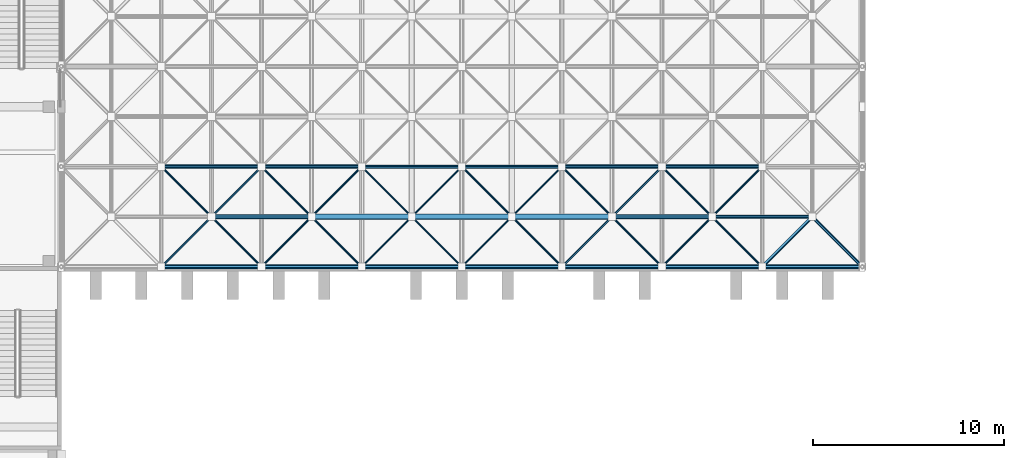
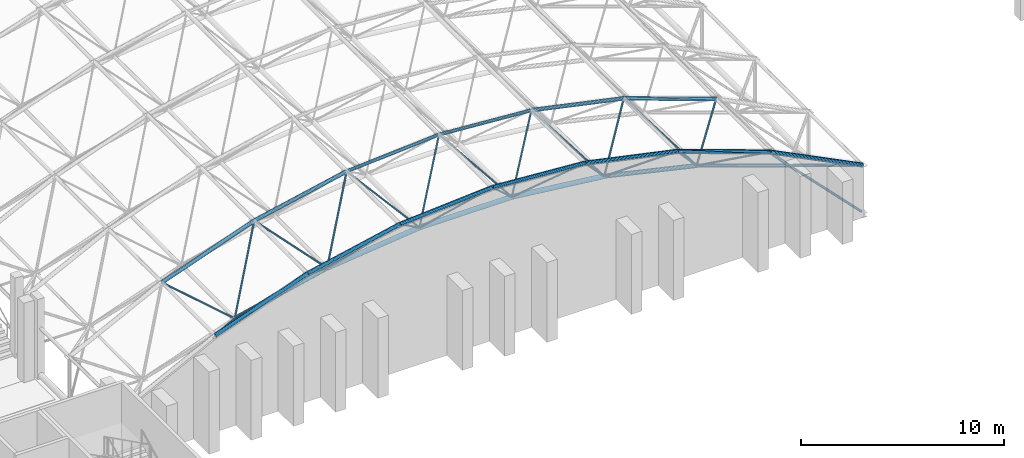
# One storey, part 15 of 100: 46 members.
"""IFC4 building model written with IfcOpenShell, lengths in metres."""

from ifc_helpers import new_model, si_unit, direction, frame, origin, origin_2d, place, context, subcontext, project, spatial, hollow_circle, extrude, material, material_profile, profile_set, type_object, element, save


model = new_model("IFC4")

# Units and contexts
model_context = context("Model", 3, precision=1e-05, world=origin(), true_north=direction((0.0, 1.0)))
body_context = subcontext(model_context, "Body", "Model", "MODEL_VIEW")
ifc_project = project(units=[si_unit("LENGTHUNIT", "METRE"), si_unit("AREAUNIT", "SQUARE_METRE"), si_unit("VOLUMEUNIT", "CUBIC_METRE"), si_unit("PLANEANGLEUNIT", "RADIAN"), si_unit("MASSUNIT", "GRAM", prefix="KILO")], contexts=[model_context])

# Site, building, storey
site_placement = place(None, origin())
site = spatial("IfcSite", under=ifc_project, at=site_placement, CompositionType="ELEMENT")
building_placement = place(site_placement, origin())
building = spatial("IfcBuilding", under=site, at=building_placement, Name="Kiln Court Media Centre", CompositionType="ELEMENT")
storey_placement = place(building_placement, frame((0.0, 0.0, 15.0)))
storey = spatial("IfcBuildingStorey", under=building, at=storey_placement, Name="L03", CompositionType="ELEMENT", Elevation=15.0)

# Members
ifc_material_1 = material(Name="Steel ASTM A500 Gr C", Category="steel")
ifc_material_profile_1 = material_profile(ifc_material_1, hollow_circle(Radius=0.05078125, WallThickness=0.0048828125, at=origin_2d()), Name="CHS 101.6x5.0")
ifc_profile_set_1 = profile_set([ifc_material_profile_1], Name="Steel ASTM A500 Gr C")
member_type_1 = type_object("IfcMemberType", Name="Steel ASTM A500 Gr C CHS 101.6x5.0 space frame brace", PredefinedType="BRACE", material=ifc_profile_set_1)
member_1_placement = place(storey_placement, frame((77.175048828125, 27.824951171875, 5.926513671875), z_axis=(-0.571963592053, -0.571963592053, 0.587975593653), x_axis=(0.707106781187, -0.707106781187, 0.0)))
element("IfcMember", 1, at=member_1_placement, inside=storey, type_object=member_type_1, Name="V1 roof diagonal 4-1 space frame brace", PredefinedType="BRACE", context=body_context, shape_type="SweptSolid", body=[
    extrude(hollow_circle(Radius=0.05078125, WallThickness=0.0048828125, at=origin_2d()), origin(), (0.0, 0.0, 1.0), 4.58935546875),
])
member_2_placement = place(storey_placement, frame((77.175048828125, 27.824951171875, 5.926513671875), z_axis=(0.544662450541, -0.544662450541, 0.637719083878), x_axis=(0.707106781187, 0.707106781187, 0.0)))
element("IfcMember", 2, at=member_2_placement, inside=storey, type_object=member_type_1, Name="V1 roof diagonal 4-1 space frame brace", PredefinedType="BRACE", context=body_context, shape_type="SweptSolid", body=[
    extrude(hollow_circle(Radius=0.05078125, WallThickness=0.0048828125, at=origin_2d()), origin(), (0.0, 0.0, 1.0), 4.819580078125),
])
member_3_placement = place(storey_placement, frame((77.175048828125, 27.824951171875, 5.926513671875), z_axis=(-0.571963592053, 0.571963592053, 0.587975593653), x_axis=(-0.707106781187, -0.707106781187, 0.0)))
element("IfcMember", 3, at=member_3_placement, inside=storey, type_object=member_type_1, Name="V1 roof diagonal 4-1 space frame brace", PredefinedType="BRACE", context=body_context, shape_type="SweptSolid", body=[
    extrude(hollow_circle(Radius=0.05078125, WallThickness=0.0048828125, at=origin_2d()), origin(), (0.0, 0.0, 1.0), 4.58935546875),
])
for number, where, z_axis, x_axis, name in (
    (4, (77.175048828125, 27.824951171875, 5.926513671875), (0.544662450541, 0.544662450541, 0.637719083878), (-0.707106781187, 0.707106781187, 0.0), "V1 roof diagonal 4-1 space frame brace"),
    (5, (82.425048828125, 27.824951171875, 5.926513671875), (-0.544662450541, -0.544662450541, 0.637719083878), (0.707106781187, -0.707106781187, 0.0), "V1 roof diagonal 5-1 space frame brace"),
):
    element("IfcMember", number, at=place(storey_placement, frame(where, z_axis=z_axis, x_axis=x_axis)), inside=storey, type_object=member_type_1, Name=name, PredefinedType="BRACE", context=body_context, shape_type="SweptSolid", body=[
        extrude(hollow_circle(Radius=0.05078125, WallThickness=0.0048828125, at=origin_2d()), origin(), (0.0, 0.0, 1.0), 4.819580078125),
    ])
member_4_placement = place(storey_placement, frame((82.425048828125, 27.824951171875, 5.926513671875), z_axis=(0.571963592053, -0.571963592053, 0.587975593653), x_axis=(0.707106781187, 0.707106781187, 0.0)))
element("IfcMember", 6, at=member_4_placement, inside=storey, type_object=member_type_1, Name="V1 roof diagonal 5-1 space frame brace", PredefinedType="BRACE", context=body_context, shape_type="SweptSolid", body=[
    extrude(hollow_circle(Radius=0.05078125, WallThickness=0.0048828125, at=origin_2d()), origin(), (0.0, 0.0, 1.0), 4.58935546875),
])
member_5_placement = place(storey_placement, frame((82.425048828125, 27.824951171875, 5.926513671875), z_axis=(-0.544662450541, 0.544662450541, 0.637719083878), x_axis=(-0.707106781187, -0.707106781187, 0.0)))
element("IfcMember", 7, at=member_5_placement, inside=storey, type_object=member_type_1, Name="V1 roof diagonal 5-1 space frame brace", PredefinedType="BRACE", context=body_context, shape_type="SweptSolid", body=[
    extrude(hollow_circle(Radius=0.05078125, WallThickness=0.0048828125, at=origin_2d()), origin(), (0.0, 0.0, 1.0), 4.819580078125),
])
member_6_placement = place(storey_placement, frame((82.425048828125, 27.824951171875, 5.926513671875), z_axis=(0.571963592053, 0.571963592053, 0.587975593653), x_axis=(-0.707106781187, 0.707106781187, 0.0)))
element("IfcMember", 8, at=member_6_placement, inside=storey, type_object=member_type_1, Name="V1 roof diagonal 5-1 space frame brace", PredefinedType="BRACE", context=body_context, shape_type="SweptSolid", body=[
    extrude(hollow_circle(Radius=0.05078125, WallThickness=0.0048828125, at=origin_2d()), origin(), (0.0, 0.0, 1.0), 4.58935546875),
])
ifc_material_2 = material(Name="Steel ASTM A500 Gr C", Category="steel")
ifc_material_profile_2 = material_profile(ifc_material_2, hollow_circle(Radius=0.05712890625, WallThickness=0.0048828125, at=origin_2d()), Name="CHS 114.3x5.0")
ifc_profile_set_2 = profile_set([ifc_material_profile_2], Name="Steel ASTM A500 Gr C")
member_type_2 = type_object("IfcMemberType", Name="Steel ASTM A500 Gr C CHS 114.3x5.0 space frame brace", PredefinedType="BRACE", material=ifc_profile_set_2)
member_7_placement = place(storey_placement, frame((66.675048828125, 27.824951171875, 4.133544921875), z_axis=(-0.656133377529, -0.656133377529, 0.37279750775), x_axis=(0.707106781187, -0.707106781187, 0.0)))
element("IfcMember", 9, at=member_7_placement, inside=storey, type_object=member_type_2, Name="V1 roof diagonal 2-1 space frame brace", PredefinedType="BRACE", context=body_context, shape_type="SweptSolid", body=[
    extrude(hollow_circle(Radius=0.05712890625, WallThickness=0.0048828125, at=origin_2d()), origin(), (0.0, 0.0, 1.0), 4.000732421875),
])
member_8_placement = place(storey_placement, frame((66.675048828125, 27.824951171875, 4.133544921875), z_axis=(0.523804264708, -0.523804264708, 0.671757534046), x_axis=(0.707106781187, 0.707106781187, 0.0)))
element("IfcMember", 10, at=member_8_placement, inside=storey, type_object=member_type_2, Name="V1 roof diagonal 2-1 space frame brace", PredefinedType="BRACE", context=body_context, shape_type="SweptSolid", body=[
    extrude(hollow_circle(Radius=0.05712890625, WallThickness=0.0048828125, at=origin_2d()), origin(), (0.0, 0.0, 1.0), 5.011474609375),
])
member_9_placement = place(storey_placement, frame((66.675048828125, 27.824951171875, 4.133544921875), z_axis=(-0.656133377529, 0.656133377529, 0.37279750775), x_axis=(-0.707106781187, -0.707106781187, 0.0)))
element("IfcMember", 11, at=member_9_placement, inside=storey, type_object=member_type_2, Name="V1 roof diagonal 2-1 space frame brace", PredefinedType="BRACE", context=body_context, shape_type="SweptSolid", body=[
    extrude(hollow_circle(Radius=0.05712890625, WallThickness=0.0048828125, at=origin_2d()), origin(), (0.0, 0.0, 1.0), 4.000732421875),
])
member_10_placement = place(storey_placement, frame((66.675048828125, 27.824951171875, 4.133544921875), z_axis=(0.523804264708, 0.523804264708, 0.671757534046), x_axis=(-0.707106781187, 0.707106781187, 0.0)))
element("IfcMember", 12, at=member_10_placement, inside=storey, type_object=member_type_2, Name="V1 roof diagonal 2-1 space frame brace", PredefinedType="BRACE", context=body_context, shape_type="SweptSolid", body=[
    extrude(hollow_circle(Radius=0.05712890625, WallThickness=0.0048828125, at=origin_2d()), origin(), (0.0, 0.0, 1.0), 5.011474609375),
])
member_11_placement = place(storey_placement, frame((71.925048828125, 27.824951171875, 5.333984375), z_axis=(-0.61074803366, -0.61074803366, 0.503958012894), x_axis=(0.707106781187, -0.707106781187, 0.0)))
element("IfcMember", 13, at=member_11_placement, inside=storey, type_object=member_type_2, Name="V1 roof diagonal 3-1 space frame brace", PredefinedType="BRACE", context=body_context, shape_type="SweptSolid", body=[
    extrude(hollow_circle(Radius=0.05712890625, WallThickness=0.0048828125, at=origin_2d()), origin(), (0.0, 0.0, 1.0), 4.298095703125),
])
member_12_placement = place(storey_placement, frame((71.925048828125, 27.824951171875, 5.333984375), z_axis=(0.529121679325, -0.529121679325, 0.663370557785), x_axis=(0.707106781187, 0.707106781187, 0.0)))
element("IfcMember", 14, at=member_12_placement, inside=storey, type_object=member_type_2, Name="V1 roof diagonal 3-1 space frame brace", PredefinedType="BRACE", context=body_context, shape_type="SweptSolid", body=[
    extrude(hollow_circle(Radius=0.05712890625, WallThickness=0.0048828125, at=origin_2d()), origin(), (0.0, 0.0, 1.0), 4.9609375),
])
member_13_placement = place(storey_placement, frame((71.925048828125, 27.824951171875, 5.333984375), z_axis=(-0.61074803366, 0.61074803366, 0.503958012894), x_axis=(-0.707106781187, -0.707106781187, 0.0)))
element("IfcMember", 15, at=member_13_placement, inside=storey, type_object=member_type_2, Name="V1 roof diagonal 3-1 space frame brace", PredefinedType="BRACE", context=body_context, shape_type="SweptSolid", body=[
    extrude(hollow_circle(Radius=0.05712890625, WallThickness=0.0048828125, at=origin_2d()), origin(), (0.0, 0.0, 1.0), 4.298095703125),
])
for number, where, z_axis, x_axis, name in (
    (16, (71.925048828125, 27.824951171875, 5.333984375), (0.529121679325, 0.529121679325, 0.663370557785), (-0.707106781187, 0.707106781187, 0.0), "V1 roof diagonal 3-1 space frame brace"),
    (17, (87.675048828125, 27.824951171875, 5.333984375), (-0.529121679325, -0.529121679325, 0.663370557785), (0.707106781187, -0.707106781187, 0.0), "V1 roof diagonal 6-1 space frame brace"),
):
    element("IfcMember", number, at=place(storey_placement, frame(where, z_axis=z_axis, x_axis=x_axis)), inside=storey, type_object=member_type_2, Name=name, PredefinedType="BRACE", context=body_context, shape_type="SweptSolid", body=[
        extrude(hollow_circle(Radius=0.05712890625, WallThickness=0.0048828125, at=origin_2d()), origin(), (0.0, 0.0, 1.0), 4.9609375),
    ])
member_14_placement = place(storey_placement, frame((87.675048828125, 27.824951171875, 5.333984375), z_axis=(0.61074803366, -0.61074803366, 0.503958012894), x_axis=(0.707106781187, 0.707106781187, 0.0)))
element("IfcMember", 18, at=member_14_placement, inside=storey, type_object=member_type_2, Name="V1 roof diagonal 6-1 space frame brace", PredefinedType="BRACE", context=body_context, shape_type="SweptSolid", body=[
    extrude(hollow_circle(Radius=0.05712890625, WallThickness=0.0048828125, at=origin_2d()), origin(), (0.0, 0.0, 1.0), 4.298095703125),
])
member_15_placement = place(storey_placement, frame((87.675048828125, 27.824951171875, 5.333984375), z_axis=(-0.529121679325, 0.529121679325, 0.663370557785), x_axis=(-0.707106781187, -0.707106781187, 0.0)))
element("IfcMember", 19, at=member_15_placement, inside=storey, type_object=member_type_2, Name="V1 roof diagonal 6-1 space frame brace", PredefinedType="BRACE", context=body_context, shape_type="SweptSolid", body=[
    extrude(hollow_circle(Radius=0.05712890625, WallThickness=0.0048828125, at=origin_2d()), origin(), (0.0, 0.0, 1.0), 4.9609375),
])
member_16_placement = place(storey_placement, frame((87.675048828125, 27.824951171875, 5.333984375), z_axis=(0.61074803366, 0.61074803366, 0.503958012894), x_axis=(-0.707106781187, 0.707106781187, 0.0)))
element("IfcMember", 20, at=member_16_placement, inside=storey, type_object=member_type_2, Name="V1 roof diagonal 6-1 space frame brace", PredefinedType="BRACE", context=body_context, shape_type="SweptSolid", body=[
    extrude(hollow_circle(Radius=0.05712890625, WallThickness=0.0048828125, at=origin_2d()), origin(), (0.0, 0.0, 1.0), 4.298095703125),
])
member_17_placement = place(storey_placement, frame((92.925048828125, 27.824951171875, 4.133544921875), z_axis=(-0.523804264708, -0.523804264708, 0.671757534046), x_axis=(0.707106781187, -0.707106781187, 0.0)))
element("IfcMember", 21, at=member_17_placement, inside=storey, type_object=member_type_2, Name="V1 roof diagonal 7-1 space frame brace", PredefinedType="BRACE", context=body_context, shape_type="SweptSolid", body=[
    extrude(hollow_circle(Radius=0.05712890625, WallThickness=0.0048828125, at=origin_2d()), origin(), (0.0, 0.0, 1.0), 5.011474609375),
])
member_18_placement = place(storey_placement, frame((92.925048828125, 27.824951171875, 4.133544921875), z_axis=(0.656133377529, -0.656133377529, 0.37279750775), x_axis=(0.707106781187, 0.707106781187, 0.0)))
element("IfcMember", 22, at=member_18_placement, inside=storey, type_object=member_type_2, Name="V1 roof diagonal 7-1 space frame brace", PredefinedType="BRACE", context=body_context, shape_type="SweptSolid", body=[
    extrude(hollow_circle(Radius=0.05712890625, WallThickness=0.0048828125, at=origin_2d()), origin(), (0.0, 0.0, 1.0), 4.000732421875),
])
member_19_placement = place(storey_placement, frame((92.925048828125, 27.824951171875, 4.133544921875), z_axis=(-0.523804264708, 0.523804264708, 0.671757534046), x_axis=(-0.707106781187, -0.707106781187, 0.0)))
element("IfcMember", 23, at=member_19_placement, inside=storey, type_object=member_type_2, Name="V1 roof diagonal 7-1 space frame brace", PredefinedType="BRACE", context=body_context, shape_type="SweptSolid", body=[
    extrude(hollow_circle(Radius=0.05712890625, WallThickness=0.0048828125, at=origin_2d()), origin(), (0.0, 0.0, 1.0), 5.011474609375),
])
member_20_placement = place(storey_placement, frame((92.925048828125, 27.824951171875, 4.133544921875), z_axis=(0.656133377529, 0.656133377529, 0.37279750775), x_axis=(-0.707106781187, 0.707106781187, 0.0)))
element("IfcMember", 24, at=member_20_placement, inside=storey, type_object=member_type_2, Name="V1 roof diagonal 7-1 space frame brace", PredefinedType="BRACE", context=body_context, shape_type="SweptSolid", body=[
    extrude(hollow_circle(Radius=0.05712890625, WallThickness=0.0048828125, at=origin_2d()), origin(), (0.0, 0.0, 1.0), 4.000732421875),
])
ifc_material_3 = material(Name="Steel ASTM A500 Gr C", Category="steel")
ifc_material_profile_3 = material_profile(ifc_material_3, hollow_circle(Radius=0.06982421875, WallThickness=0.0048828125, at=origin_2d()), Name="CHS 139.7x5.0")
ifc_profile_set_3 = profile_set([ifc_material_profile_3], Name="Steel ASTM A500 Gr C")
member_type_3 = type_object("IfcMemberType", Name="Steel ASTM A500 Gr C CHS 139.7x5.0 space frame brace", PredefinedType="BRACE", material=ifc_profile_set_3)
member_21_placement = place(storey_placement, frame((100.800048828125, 25.199951171875, 0.18994140625), z_axis=(-0.614895163376, 0.614895163376, 0.493769051394), x_axis=(-0.707106781187, -0.707106781187, 0.0)))
element("IfcMember", 25, at=member_21_placement, inside=storey, type_object=member_type_3, Name="V1 roof bearing tie last 1 space frame brace", PredefinedType="BRACE", context=body_context, shape_type="SweptSolid", body=[
    extrude(hollow_circle(Radius=0.06982421875, WallThickness=0.0048828125, at=origin_2d()), origin(), (0.0, 0.0, 1.0), 4.26904296875),
])
ifc_material_4 = material(Name="Steel ASTM A500 Gr C", Category="steel")
ifc_material_profile_4 = material_profile(ifc_material_4, hollow_circle(Radius=0.084228515625, WallThickness=0.00634765625, at=origin_2d()), Name="CHS 168.3x6.3")
ifc_profile_set_4 = profile_set([ifc_material_profile_4], Name="Steel ASTM A500 Gr C")
member_type_4 = type_object("IfcMemberType", Name="Steel ASTM A500 Gr C CHS 168.3x6.3 space frame brace", PredefinedType="BRACE", material=ifc_profile_set_4)
member_22_placement = place(storey_placement, frame((98.175048828125, 27.824951171875, 2.2978515625), z_axis=(-0.526569761857, -0.526569761857, 0.667419337295), x_axis=(0.707106781187, -0.707106781187, 0.0)))
element("IfcMember", 26, at=member_22_placement, inside=storey, type_object=member_type_4, Name="V1 roof diagonal 8-1 space frame brace", PredefinedType="BRACE", context=body_context, shape_type="SweptSolid", body=[
    extrude(hollow_circle(Radius=0.084228515625, WallThickness=0.00634765625, at=origin_2d()), origin(), (0.0, 0.0, 1.0), 4.985107421875),
])
member_23_placement = place(storey_placement, frame((98.175048828125, 27.824951171875, 2.2978515625), z_axis=(0.694788256549, -0.694788256549, 0.185845519516), x_axis=(0.707106781187, 0.707106781187, 0.0)))
element("IfcMember", 27, at=member_23_placement, inside=storey, type_object=member_type_4, Name="V1 roof diagonal 8-1 space frame brace", PredefinedType="BRACE", context=body_context, shape_type="SweptSolid", body=[
    extrude(hollow_circle(Radius=0.084228515625, WallThickness=0.00634765625, at=origin_2d()), origin(), (0.0, 0.0, 1.0), 3.778076171875),
])
ifc_material_5 = material(Name="Steel ASTM A500 Gr C", Category="steel")
ifc_material_profile_5 = material_profile(ifc_material_5, hollow_circle(Radius=0.096923828125, WallThickness=0.008056640625, at=origin_2d()), Name="CHS 193.7x8.0")
ifc_profile_set_5 = profile_set([ifc_material_profile_5], Name="Steel ASTM A500 Gr C")
member_type_5 = type_object("IfcMemberType", Name="Steel ASTM A500 Gr C CHS 193.7x8.0 space frame chord", PredefinedType="CHORD", material=ifc_profile_set_5)
for number, where, z_axis, x_axis, name in (
    (28, (74.550048828125, 30.449951171875, 8.625), (0.997458699831, 0.0, 0.071247049988), (0.0, 1.0, 0.0), "V1 roof top chord across line 2 space frame chord"),
    (29, (79.800048828125, 30.449951171875, 9.0), (0.997458699831, 0.0, -0.071247049988), (0.0, 1.0, 0.0), "V1 roof top chord across line 2 space frame chord"),
):
    element("IfcMember", number, at=place(storey_placement, frame(where, z_axis=z_axis, x_axis=x_axis)), inside=storey, type_object=member_type_5, Name=name, PredefinedType="CHORD", context=body_context, shape_type="SweptSolid", body=[
        extrude(hollow_circle(Radius=0.096923828125, WallThickness=0.008056640625, at=origin_2d()), origin(), (0.0, 0.0, 1.0), 5.263427734375),
    ])
member_24_placement = place(storey_placement, frame((92.925048828125, 27.824951171875, 4.133544921875), z_axis=(0.943959597571, 0.0, -0.330061021863), x_axis=(0.0, 1.0, 0.0)))
element("IfcMember", 30, at=member_24_placement, inside=storey, type_object=member_type_5, Name="V1 roof bottom chord across line 1 space frame chord", PredefinedType="CHORD", context=body_context, shape_type="SweptSolid", body=[
    extrude(hollow_circle(Radius=0.096923828125, WallThickness=0.008056640625, at=origin_2d()), origin(), (0.0, 0.0, 1.0), 5.561767578125),
])
ifc_material_6 = material(Name="Steel ASTM A500 Gr C", Category="steel")
ifc_material_profile_6 = material_profile(ifc_material_6, hollow_circle(Radius=0.109619140625, WallThickness=0.008056640625, at=origin_2d()), Name="CHS 219.1x8.0")
ifc_profile_set_6 = profile_set([ifc_material_profile_6], Name="Steel ASTM A500 Gr C")
member_type_6 = type_object("IfcMemberType", Name="Steel ASTM A500 Gr C CHS 219.1x8.0 space frame chord", PredefinedType="CHORD", material=ifc_profile_set_6)
member_25_placement = place(storey_placement, frame((64.050048828125, 30.449951171875, 5.625), z_axis=(0.941741911595, 0.0, 0.336336396998), x_axis=(0.0, 1.0, 0.0)))
element("IfcMember", 31, at=member_25_placement, inside=storey, type_object=member_type_6, Name="V1 roof top chord across line 2 space frame chord", PredefinedType="CHORD", context=body_context, shape_type="SweptSolid", body=[
    extrude(hollow_circle(Radius=0.109619140625, WallThickness=0.008056640625, at=origin_2d()), origin(), (0.0, 0.0, 1.0), 5.57470703125),
])
for number, where, z_axis, x_axis, name in (
    (32, (69.300048828125, 30.449951171875, 7.5), (0.977802414077, 0.0, 0.209529088731), (0.0, 1.0, 0.0), "V1 roof top chord across line 2 space frame chord"),
    (33, (85.050048828125, 30.449951171875, 8.625), (0.977802414077, 0.0, -0.209529088731), (0.0, 1.0, 0.0), "V1 roof top chord across line 2 space frame chord"),
):
    element("IfcMember", number, at=place(storey_placement, frame(where, z_axis=z_axis, x_axis=x_axis)), inside=storey, type_object=member_type_6, Name=name, PredefinedType="CHORD", context=body_context, shape_type="SweptSolid", body=[
        extrude(hollow_circle(Radius=0.109619140625, WallThickness=0.008056640625, at=origin_2d()), origin(), (0.0, 0.0, 1.0), 5.369140625),
    ])
member_26_placement = place(storey_placement, frame((90.300048828125, 30.449951171875, 7.5), z_axis=(0.941741911595, 0.0, -0.336336396998), x_axis=(0.0, 1.0, 0.0)))
element("IfcMember", 34, at=member_26_placement, inside=storey, type_object=member_type_6, Name="V1 roof top chord across line 2 space frame chord", PredefinedType="CHORD", context=body_context, shape_type="SweptSolid", body=[
    extrude(hollow_circle(Radius=0.109619140625, WallThickness=0.008056640625, at=origin_2d()), origin(), (0.0, 0.0, 1.0), 5.57470703125),
])
ifc_material_7 = material(Name="Steel ASTM A500 Gr C", Category="steel")
ifc_material_profile_7 = material_profile(ifc_material_7, hollow_circle(Radius=0.122314453125, WallThickness=0.010009765625, at=origin_2d()), Name="CHS 244.5x10.0")
ifc_profile_set_7 = profile_set([ifc_material_profile_7], Name="Steel ASTM A500 Gr C")
member_type_7 = type_object("IfcMemberType", Name="Steel ASTM A500 Gr C CHS 244.5x10.0 space frame chord", PredefinedType="CHORD", material=ifc_profile_set_7)
member_27_placement = place(storey_placement, frame((64.050048828125, 25.199951171875, 5.625), z_axis=(0.941741911595, 0.0, 0.336336396998), x_axis=(0.0, 1.0, 0.0)))
element("IfcMember", 35, at=member_27_placement, inside=storey, type_object=member_type_7, Name="V1 roof top chord across line 1 space frame chord", PredefinedType="CHORD", context=body_context, shape_type="SweptSolid", body=[
    extrude(hollow_circle(Radius=0.122314453125, WallThickness=0.010009765625, at=origin_2d()), origin(), (0.0, 0.0, 1.0), 5.57470703125),
])
member_28_placement = place(storey_placement, frame((69.300048828125, 25.199951171875, 7.5), z_axis=(0.977802414077, 0.0, 0.209529088731), x_axis=(0.0, 1.0, 0.0)))
element("IfcMember", 36, at=member_28_placement, inside=storey, type_object=member_type_7, Name="V1 roof top chord across line 1 space frame chord", PredefinedType="CHORD", context=body_context, shape_type="SweptSolid", body=[
    extrude(hollow_circle(Radius=0.122314453125, WallThickness=0.010009765625, at=origin_2d()), origin(), (0.0, 0.0, 1.0), 5.369140625),
])
for number, where, z_axis, x_axis, name in (
    (37, (74.550048828125, 25.199951171875, 8.625), (0.997458699831, 0.0, 0.071247049988), (0.0, 1.0, 0.0), "V1 roof top chord across line 1 space frame chord"),
    (38, (79.800048828125, 25.199951171875, 9.0), (0.997458699831, 0.0, -0.071247049988), (0.0, 1.0, 0.0), "V1 roof top chord across line 1 space frame chord"),
):
    element("IfcMember", number, at=place(storey_placement, frame(where, z_axis=z_axis, x_axis=x_axis)), inside=storey, type_object=member_type_7, Name=name, PredefinedType="CHORD", context=body_context, shape_type="SweptSolid", body=[
        extrude(hollow_circle(Radius=0.122314453125, WallThickness=0.010009765625, at=origin_2d()), origin(), (0.0, 0.0, 1.0), 5.263427734375),
    ])
member_29_placement = place(storey_placement, frame((85.050048828125, 25.199951171875, 8.625), z_axis=(0.977802414077, 0.0, -0.209529088731), x_axis=(0.0, 1.0, 0.0)))
element("IfcMember", 39, at=member_29_placement, inside=storey, type_object=member_type_7, Name="V1 roof top chord across line 1 space frame chord", PredefinedType="CHORD", context=body_context, shape_type="SweptSolid", body=[
    extrude(hollow_circle(Radius=0.122314453125, WallThickness=0.010009765625, at=origin_2d()), origin(), (0.0, 0.0, 1.0), 5.369140625),
])
member_30_placement = place(storey_placement, frame((90.300048828125, 25.199951171875, 7.5), z_axis=(0.941741911595, 0.0, -0.336336396998), x_axis=(0.0, 1.0, 0.0)))
element("IfcMember", 40, at=member_30_placement, inside=storey, type_object=member_type_7, Name="V1 roof top chord across line 1 space frame chord", PredefinedType="CHORD", context=body_context, shape_type="SweptSolid", body=[
    extrude(hollow_circle(Radius=0.122314453125, WallThickness=0.010009765625, at=origin_2d()), origin(), (0.0, 0.0, 1.0), 5.57470703125),
])
member_31_placement = place(storey_placement, frame((95.550048828125, 25.199951171875, 5.625), z_axis=(0.894427191, 0.0, -0.4472135955), x_axis=(0.0, 1.0, 0.0)))
element("IfcMember", 41, at=member_31_placement, inside=storey, type_object=member_type_7, Name="V1 roof top chord across line 1 space frame chord", PredefinedType="CHORD", context=body_context, shape_type="SweptSolid", body=[
    extrude(hollow_circle(Radius=0.122314453125, WallThickness=0.010009765625, at=origin_2d()), origin(), (0.0, 0.0, 1.0), 5.86962890625),
])
for number, where, z_axis, x_axis, name in (
    (42, (66.675048828125, 27.824951171875, 4.133544921875), (0.97484077825, 0.0, 0.22290234871), (0.0, 1.0, 0.0), "V1 roof bottom chord across line 1 space frame chord"),
    (43, (87.675048828125, 27.824951171875, 5.333984375), (0.97484077825, 0.0, -0.22290234871), (0.0, 1.0, 0.0), "V1 roof bottom chord across line 1 space frame chord"),
):
    element("IfcMember", number, at=place(storey_placement, frame(where, z_axis=z_axis, x_axis=x_axis)), inside=storey, type_object=member_type_7, Name=name, PredefinedType="CHORD", context=body_context, shape_type="SweptSolid", body=[
        extrude(hollow_circle(Radius=0.122314453125, WallThickness=0.010009765625, at=origin_2d()), origin(), (0.0, 0.0, 1.0), 5.385498046875),
    ])
ifc_material_8 = material(Name="Steel ASTM A500 Gr C", Category="steel")
ifc_material_profile_8 = material_profile(ifc_material_8, hollow_circle(Radius=0.136474609375, WallThickness=0.010009765625, at=origin_2d()), Name="CHS 273.0x10.0")
ifc_profile_set_8 = profile_set([ifc_material_profile_8], Name="Steel ASTM A500 Gr C")
member_type_8 = type_object("IfcMemberType", Name="Steel ASTM A500 Gr C CHS 273.0x10.0 space frame chord", PredefinedType="CHORD", material=ifc_profile_set_8)
member_32_placement = place(storey_placement, frame((71.925048828125, 27.824951171875, 5.333984375), z_axis=(0.993691210277, 0.0, 0.112150696026), x_axis=(0.0, 1.0, 0.0)))
element("IfcMember", 44, at=member_32_placement, inside=storey, type_object=member_type_8, Name="V1 roof bottom chord across line 1 space frame chord", PredefinedType="CHORD", context=body_context, shape_type="SweptSolid", body=[
    extrude(hollow_circle(Radius=0.136474609375, WallThickness=0.010009765625, at=origin_2d()), origin(), (0.0, 0.0, 1.0), 5.283447265625),
])
member_33_placement = place(storey_placement, frame((77.175048828125, 27.824951171875, 5.926513671875), z_axis=(1.0, 0.0, 0.0), x_axis=(0.0, 1.0, 0.0)))
element("IfcMember", 45, at=member_33_placement, inside=storey, type_object=member_type_8, Name="V1 roof bottom chord across line 1 space frame chord", PredefinedType="CHORD", context=body_context, shape_type="SweptSolid", body=[
    extrude(hollow_circle(Radius=0.136474609375, WallThickness=0.010009765625, at=origin_2d()), origin(), (0.0, 0.0, 1.0), 5.25),
])
member_34_placement = place(storey_placement, frame((82.425048828125, 27.824951171875, 5.926513671875), z_axis=(0.993691210277, 0.0, -0.112150696026), x_axis=(0.0, 1.0, 0.0)))
element("IfcMember", 46, at=member_34_placement, inside=storey, type_object=member_type_8, Name="V1 roof bottom chord across line 1 space frame chord", PredefinedType="CHORD", context=body_context, shape_type="SweptSolid", body=[
    extrude(hollow_circle(Radius=0.136474609375, WallThickness=0.010009765625, at=origin_2d()), origin(), (0.0, 0.0, 1.0), 5.283447265625),
])

save(model, "model.ifc")
